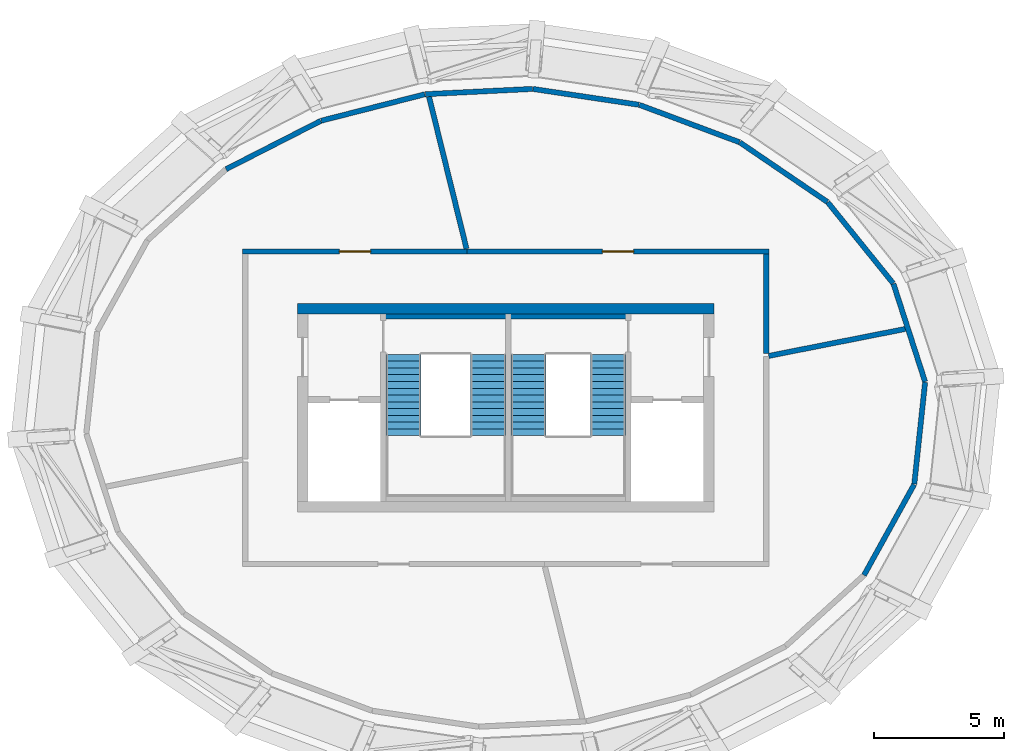
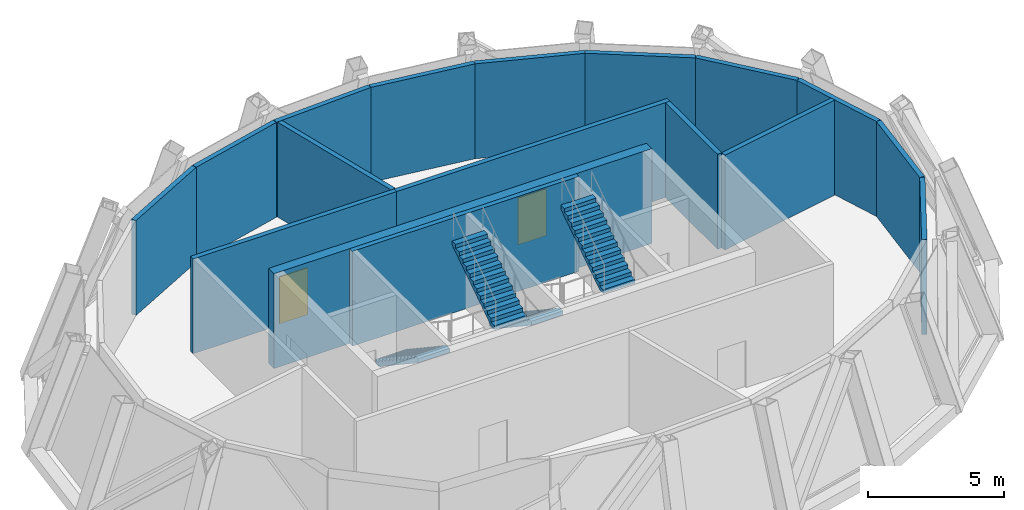
# One storey, part 5 of 6: 17 walls, 4 stair flights, 2 doors, 2 openings, 2 elements without a shape of their own.
"""IFC4 building model written with IfcOpenShell, lengths in metres."""

from ifc_helpers import new_model, si_unit, direction, frame, frame_2d, origin, place, context, subcontext, project, spatial, polyline, rectangle, outline, extrude, source, transform, mapped, material, layer, layer_set, type_object, element, fill, aggregate, save


model = new_model("IFC4")

# Units and contexts
model_context = context("Model", 3, precision=1e-05, world=origin(), true_north=direction((0.0, 1.0)))
body_context = subcontext(model_context, "Body", "Model", "MODEL_VIEW")
ifc_project = project(units=[si_unit("LENGTHUNIT", "METRE"), si_unit("AREAUNIT", "SQUARE_METRE"), si_unit("VOLUMEUNIT", "CUBIC_METRE"), si_unit("PLANEANGLEUNIT", "RADIAN"), si_unit("MASSUNIT", "GRAM", prefix="KILO")], contexts=[model_context])

# Site, building, storey
site_placement = place(None, origin())
site = spatial("IfcSite", under=ifc_project, at=site_placement, CompositionType="ELEMENT")
building_placement = place(site_placement, origin())
building = spatial("IfcBuilding", under=site, at=building_placement, Name="Embergate Tower", CompositionType="ELEMENT")
storey_placement = place(building_placement, frame((0.0, 0.0, 356.5)))
storey = spatial("IfcBuildingStorey", under=building, at=storey_placement, Name="L81", CompositionType="ELEMENT", Elevation=356.5)

# Walls
ifc_material_1 = material(Name="Concrete C50", Category="concrete")
ifc_layer_1 = layer(ifc_material_1, 0.39990234375)
ifc_layer_set_1 = layer_set([ifc_layer_1], Name="Concrete C50")
wall_type_1 = type_object("IfcWallType", Name="Core outer wall C50 400", PredefinedType="SHEAR", material=ifc_layer_set_1)
shared_shape_1 = source(origin(), body_context, "Body", "SweptSolid", [
    extrude(rectangle(XDim=16.0, YDim=0.39990234375, at=frame_2d((8.0, 0.0))), origin(), (0.0, 0.0, 1.0), 4.25),
])
wall_1_placement = place(storey_placement, frame((-8.0, 3.800048828125, 0.0), z_axis=(0.0, 0.0, 1.0), x_axis=(1.0, 0.0, 0.0)))
element("IfcWall", 1, at=wall_1_placement, inside=storey, type_object=wall_type_1, Name="CW-L81-N", PredefinedType="SHEAR", context=body_context, shape_type="MappedRepresentation", body=[
    mapped(shared_shape_1, transform((0.0, 0.0, 0.0))),
])
ifc_material_2 = material(Name="Terracotta louvre cladding on insulated backing", Category="masonry")
ifc_layer_2 = layer(ifc_material_2, 0.199951171875)
ifc_layer_set_2 = layer_set([ifc_layer_2], Name="Terracotta louvre cladding on insulated backing")
wall_type_2 = type_object("IfcWallType", Name="Terracotta louvre wall", PredefinedType="SOLIDWALL", material=ifc_layer_set_2)
shared_shape_2 = source(origin(), body_context, "Body", "SweptSolid", [
    extrude(rectangle(XDim=4.003662109375, YDim=0.199951171875, at=frame_2d((2.001953125, 0.0))), origin(), (0.0, 0.0, 1.0), 4.25),
])
wall_2_placement = place(storey_placement, frame((12.360595703125, 7.8916015625, 0.0), z_axis=(0.0, 0.0, 1.0), x_axis=(0.628317235809, -0.777957229663, 0.0)))
element("IfcWall", 2, at=wall_2_placement, inside=storey, type_object=wall_type_2, Name="Crown louvre wall 1", PredefinedType="SOLIDWALL", context=body_context, shape_type="MappedRepresentation", body=[
    mapped(shared_shape_2, transform((0.0, 0.0, 0.0))),
])
shared_shape_3 = source(origin(), body_context, "Body", "SweptSolid", [
    extrude(rectangle(XDim=4.059814453125, YDim=0.199951171875, at=frame_2d((2.02978515625, 0.0))), origin(), (0.0, 0.0, 1.0), 4.25),
])
wall_3_placement = place(storey_placement, frame((8.98876953125, 10.187744140625, 0.0), z_axis=(0.0, 0.0, 1.0), x_axis=(0.826945516506, -0.562282057984, 0.0)))
element("IfcWall", 3, at=wall_3_placement, inside=storey, type_object=wall_type_2, Name="Crown louvre wall 2", PredefinedType="SOLIDWALL", context=body_context, shape_type="MappedRepresentation", body=[
    mapped(shared_shape_3, transform((0.0, 0.0, 0.0))),
])
shared_shape_4 = source(origin(), body_context, "Body", "SweptSolid", [
    extrude(rectangle(XDim=4.095458984375, YDim=0.199951171875, at=frame_2d((2.0478515625, 0.0))), origin(), (0.0, 0.0, 1.0), 4.25),
])
wall_4_placement = place(storey_placement, frame((5.134033203125, 11.62890625, 0.0), z_axis=(0.0, 0.0, 1.0), x_axis=(0.936867035119, -0.349685799695, 0.0)))
element("IfcWall", 4, at=wall_4_placement, inside=storey, type_object=wall_type_2, Name="Crown louvre wall 3", PredefinedType="SOLIDWALL", context=body_context, shape_type="MappedRepresentation", body=[
    mapped(shared_shape_4, transform((0.0, 0.0, 0.0))),
])
shared_shape_5 = source(origin(), body_context, "Body", "SweptSolid", [
    extrude(rectangle(XDim=4.11474609375, YDim=0.199951171875, at=frame_2d((2.057373046875, 0.0))), origin(), (0.0, 0.0, 1.0), 4.25),
])
wall_5_placement = place(storey_placement, frame((1.045166015625, 12.240966796875, 0.0), z_axis=(0.0, 0.0, 1.0), x_axis=(0.989052252856, -0.147565717971, 0.0)))
element("IfcWall", 5, at=wall_5_placement, inside=storey, type_object=wall_type_2, Name="Crown louvre wall 4", PredefinedType="SOLIDWALL", context=body_context, shape_type="MappedRepresentation", body=[
    mapped(shared_shape_5, transform((0.0, 0.0, 0.0))),
])
shared_shape_6 = source(origin(), body_context, "Body", "SweptSolid", [
    extrude(rectangle(XDim=4.116455078125, YDim=0.199951171875, at=frame_2d((2.05810546875, 0.0))), origin(), (0.0, 0.0, 1.0), 4.25),
])
wall_6_placement = place(storey_placement, frame((-3.086181640625, 12.03955078125, 0.0), z_axis=(0.0, 0.0, 1.0), x_axis=(0.998790641863, 0.049165574616, 0.0)))
element("IfcWall", 6, at=wall_6_placement, inside=storey, type_object=wall_type_2, Name="Crown louvre wall 5", PredefinedType="SOLIDWALL", context=body_context, shape_type="MappedRepresentation", body=[
    mapped(shared_shape_6, transform((0.0, 0.0, 0.0))),
])
shared_shape_7 = source(origin(), body_context, "Body", "SweptSolid", [
    extrude(rectangle(XDim=4.107421875, YDim=0.199951171875, at=frame_2d((2.0537109375, 0.0))), origin(), (0.0, 0.0, 1.0), 4.25),
])
wall_7_placement = place(storey_placement, frame((-7.0859375, 11.02099609375, 0.0), z_axis=(0.0, 0.0, 1.0), x_axis=(0.96894922759, 0.247259770996, 0.0)))
element("IfcWall", 7, at=wall_7_placement, inside=storey, type_object=wall_type_2, Name="Crown louvre wall 6", PredefinedType="SOLIDWALL", context=body_context, shape_type="MappedRepresentation", body=[
    mapped(shared_shape_7, transform((0.0, 0.0, 0.0))),
])
shared_shape_8 = source(origin(), body_context, "Body", "SweptSolid", [
    extrude(rectangle(XDim=4.079833984375, YDim=0.199951171875, at=frame_2d((2.0400390625, 0.0))), origin(), (0.0, 0.0, 1.0), 4.25),
])
wall_8_placement = place(storey_placement, frame((-10.73828125, 9.1591796875, 0.0), z_axis=(0.0, 0.0, 1.0), x_axis=(0.89066198265, 0.454666067198, 0.0)))
element("IfcWall", 8, at=wall_8_placement, inside=storey, type_object=wall_type_2, Name="Crown louvre wall 7", PredefinedType="SOLIDWALL", context=body_context, shape_type="MappedRepresentation", body=[
    mapped(shared_shape_8, transform((0.0, 0.0, 0.0))),
])
shared_shape_9 = source(origin(), body_context, "Body", "SweptSolid", [
    extrude(rectangle(XDim=3.97412109375, YDim=0.199951171875, at=frame_2d((1.987060546875, 0.0))), origin(), (0.0, 0.0, 1.0), 4.25),
])
wall_9_placement = place(storey_placement, frame((15.67919921875, -2.947021484375, 0.0), z_axis=(0.0, 0.0, 1.0), x_axis=(-0.483910254113, -0.875117629787, 0.0)))
element("IfcWall", 9, at=wall_9_placement, inside=storey, type_object=wall_type_2, Name="Crown louvre wall 20", PredefinedType="SOLIDWALL", context=body_context, shape_type="MappedRepresentation", body=[
    mapped(shared_shape_9, transform((0.0, 0.0, 0.0))),
])
shared_shape_10 = source(origin(), body_context, "Body", "SweptSolid", [
    extrude(rectangle(XDim=3.932861328125, YDim=0.199951171875, at=frame_2d((1.96630859375, 0.0))), origin(), (0.0, 0.0, 1.0), 4.25),
])
wall_10_placement = place(storey_placement, frame((16.10107421875, 0.982666015625, 0.0), z_axis=(0.0, 0.0, 1.0), x_axis=(-0.10577691274, -0.994389885674, 0.0)))
element("IfcWall", 10, at=wall_10_placement, inside=storey, type_object=wall_type_2, Name="Crown louvre wall 21", PredefinedType="SOLIDWALL", context=body_context, shape_type="MappedRepresentation", body=[
    mapped(shared_shape_10, transform((0.0, 0.0, 0.0))),
])
shared_shape_11 = source(origin(), body_context, "Body", "SweptSolid", [
    extrude(rectangle(XDim=3.948486328125, YDim=0.199951171875, at=frame_2d((1.97412109375, 0.0))), origin(), (0.0, 0.0, 1.0), 4.25),
])
wall_11_placement = place(storey_placement, frame((14.885498046875, 4.759521484375, 0.0), z_axis=(0.0, 0.0, 1.0), x_axis=(0.307365880997, -0.951591411898, 0.0)))
element("IfcWall", 11, at=wall_11_placement, inside=storey, type_object=wall_type_2, Name="Crown louvre wall 22", PredefinedType="SOLIDWALL", context=body_context, shape_type="MappedRepresentation", body=[
    mapped(shared_shape_11, transform((0.0, 0.0, 0.0))),
])
ifc_layer_3 = layer(ifc_material_1, 0.199951171875)
ifc_layer_set_3 = layer_set([ifc_layer_3], Name="Concrete C50")
wall_type_3 = type_object("IfcWallType", Name="Stair enclosure wall reinforced concrete 250", PredefinedType="SHEAR", material=ifc_layer_set_3)
shared_shape_12 = source(origin(), body_context, "Body", "SweptSolid", [
    extrude(rectangle(XDim=9.59619140625, YDim=0.199951171875, at=frame_2d((4.798095703125, 0.0))), origin(), (0.0, 0.0, 1.0), 4.25),
])
wall_12_placement = place(storey_placement, frame((4.798095703125, 3.5, 0.0), z_axis=(0.0, 0.0, 1.0), x_axis=(-1.0, 0.0, 0.0)))
element("IfcWall", 12, at=wall_12_placement, inside=storey, type_object=wall_type_3, Name="SE-1 wall", PredefinedType="SHEAR", context=body_context, shape_type="MappedRepresentation", body=[
    mapped(shared_shape_12, transform((0.0, 0.0, 0.0))),
])
ifc_material_3 = material(Name="Blockwork, plastered", Category="masonry")
ifc_layer_4 = layer(ifc_material_3, 0.199951171875)
ifc_layer_set_4 = layer_set([ifc_layer_4], Name="Blockwork, plastered")
wall_type_4 = type_object("IfcWallType", Name="Fire partition wall 200 block", PredefinedType="PARTITIONING", material=ifc_layer_set_4)
shared_shape_13 = source(origin(), body_context, "Body", "SweptSolid", [
    extrude(rectangle(XDim=3.81689453125, YDim=0.199951171875, at=frame_2d((1.908447265625, 0.0))), origin(), (0.0, 0.0, 1.0), 4.25),
])
wall_13_placement = place(storey_placement, frame((10.0, 5.89990234375, 0.0), z_axis=(0.0, 0.0, 1.0), x_axis=(0.0, -1.0, 0.0)))
element("IfcWall", 13, at=wall_13_placement, inside=storey, type_object=wall_type_4, Name="Partition 011", PredefinedType="PARTITIONING", context=body_context, shape_type="MappedRepresentation", body=[
    mapped(shared_shape_13, transform((0.0, 0.0, 0.0))),
])
shared_shape_14 = source(origin(), body_context, "Body", "SweptSolid", [
    extrude(rectangle(XDim=5.343505859375, YDim=0.199951171875, at=frame_2d((2.671875, 0.0))), origin(), (0.0, 0.0, 1.0), 4.25),
])
wall_14_placement = place(storey_placement, frame((15.340087890625, 3.027099609375, 0.0), z_axis=(0.0, 0.0, 1.0), x_axis=(-0.981055750952, -0.193725614011, 0.0)))
element("IfcWall", 14, at=wall_14_placement, inside=storey, type_object=wall_type_4, Name="Partition 012", PredefinedType="PARTITIONING", context=body_context, shape_type="MappedRepresentation", body=[
    mapped(shared_shape_14, transform((0.0, 0.0, 0.0))),
])

# Wall, opening, door
shared_shape_15 = source(origin(), body_context, "Body", "SweptSolid", [
    extrude(rectangle(XDim=8.62109375, YDim=0.199951171875, at=frame_2d((4.310546875, 0.0))), origin(), (0.0, 0.0, 1.0), 4.25),
])
wall_15_placement = place(storey_placement, frame((-10.10009765625, 6.0, 0.0), z_axis=(0.0, 0.0, 1.0), x_axis=(1.0, 0.0, 0.0)))
wall_15 = element("IfcWall", 15, at=wall_15_placement, inside=storey, type_object=wall_type_4, Name="Partition 004", PredefinedType="PARTITIONING", context=body_context, shape_type="MappedRepresentation", body=[
    mapped(shared_shape_15, transform((0.0, 0.0, 0.0))),
])
shared_shape_16 = source(origin(), body_context, "Body", "SweptSolid", [
    extrude(rectangle(XDim=1.199951171875, YDim=2.10009765625, at=frame_2d((0.60009765625, 1.050048828125))), frame((0.0, 0.10986328125, 0.0), z_axis=(0.0, -1.0, 0.0), x_axis=(1.0, 0.0, 0.0)), (0.0, 0.0, 1.0), 0.219970703125),
])
opening_1_placement = place(wall_15_placement, frame((3.7109375, 0.0, 0.0)))
opening_1 = element("IfcOpeningElement", 16, at=opening_1_placement, cuts=wall_15, Name="Opening DS-282", PredefinedType="OPENING", context=body_context, shape_type="MappedRepresentation", body=[
    mapped(shared_shape_16, transform((0.0, 0.0, 0.0))),
])
ifc_material_4 = material(Name="Timber door leaf, steel frame", Category="steel")
door_type = type_object("IfcDoorType", Name="Plant door 1200x2100", OperationType="SINGLE_SWING_LEFT", PredefinedType="DOOR", material=ifc_material_4)
shared_shape_17 = source(origin(), body_context, "Body", "SweptSolid", [
    extrude(rectangle(XDim=1.199951171875, YDim=2.10009765625, at=frame_2d((0.60009765625, 1.050048828125))), frame((0.0, 0.02490234375, 0.0), z_axis=(0.0, -1.0, 0.0), x_axis=(1.0, 0.0, 0.0)), (0.0, 0.0, 1.0), 0.050048828125),
])
door_1_placement = place(opening_1_placement, origin())
door_1 = element("IfcDoor", 17, at=door_1_placement, inside=storey, type_object=door_type, Name="Door to Crown electrical plant room", OperationType="SINGLE_SWING_LEFT", OverallHeight=2.10009765625, OverallWidth=1.199951171875, PredefinedType="DOOR", context=body_context, shape_type="MappedRepresentation", body=[
    mapped(shared_shape_17, transform((0.0, 0.0, 0.0))),
])
fill(opening_1, door_1)

# Wall
shared_shape_18 = source(origin(), body_context, "Body", "SweptSolid", [
    extrude(rectangle(XDim=6.01416015625, YDim=0.199951171875, at=frame_2d((3.007080078125, 0.0))), origin(), (0.0, 0.0, 1.0), 4.25),
])
wall_16_placement = place(storey_placement, frame((-1.5048828125, 6.10693359375, 0.0), z_axis=(0.0, 0.0, 1.0), x_axis=(-0.239468317603, 0.970904179033, 0.0)))
element("IfcWall", 18, at=wall_16_placement, inside=storey, type_object=wall_type_4, Name="Partition 005", PredefinedType="PARTITIONING", context=body_context, shape_type="MappedRepresentation", body=[
    mapped(shared_shape_18, transform((0.0, 0.0, 0.0))),
])

# Wall, opening, door
shared_shape_19 = source(origin(), body_context, "Body", "SweptSolid", [
    extrude(rectangle(XDim=11.5791015625, YDim=0.199951171875, at=frame_2d((5.78955078125, 0.0))), origin(), (0.0, 0.0, 1.0), 4.25),
])
wall_17_placement = place(storey_placement, frame((-1.47900390625, 6.0, 0.0), z_axis=(0.0, 0.0, 1.0), x_axis=(1.0, 0.0, 0.0)))
wall_17 = element("IfcWall", 19, at=wall_17_placement, inside=storey, type_object=wall_type_4, Name="Partition 006", PredefinedType="PARTITIONING", context=body_context, shape_type="MappedRepresentation", body=[
    mapped(shared_shape_19, transform((0.0, 0.0, 0.0))),
])
opening_2_placement = place(wall_17_placement, frame((5.18896484375, 0.0, 0.0)))
opening_2 = element("IfcOpeningElement", 20, at=opening_2_placement, cuts=wall_17, Name="Opening DS-281", PredefinedType="OPENING", context=body_context, shape_type="MappedRepresentation", body=[
    mapped(shared_shape_16, transform((0.0, 0.0, 0.0))),
])
door_2_placement = place(opening_2_placement, origin())
door_2 = element("IfcDoor", 21, at=door_2_placement, inside=storey, type_object=door_type, Name="Door to Crown chiller plant", OperationType="SINGLE_SWING_LEFT", OverallHeight=2.10009765625, OverallWidth=1.199951171875, PredefinedType="DOOR", context=body_context, shape_type="MappedRepresentation", body=[
    mapped(shared_shape_17, transform((0.0, 0.0, 0.0))),
])
fill(opening_2, door_2)

# Stair, stair flights
ifc_material_5 = material(Name="Exit stair")
stair_type = type_object("IfcStairType", Name="Exit stair", PredefinedType="HALF_TURN_STAIR", material=ifc_material_5)
stair_1_placement = place(storey_placement, origin())
stair_1 = element("IfcStair", 22, at=stair_1_placement, inside=storey, type_object=stair_type, Name="L81 Exit stair 1", PredefinedType="HALF_TURN_STAIR")
ifc_material_6 = material(Name="Concrete C40", Category="concrete")
stair_flight_type = type_object("IfcStairFlightType", Name="Stair flight reinforced concrete", PredefinedType="STRAIGHT", material=ifc_material_6)
shared_shape_20 = source(origin(), body_context, "Body", "SweptSolid", [
    extrude(outline(polyline([(0.0, 0.0), (0.0, 0.173095703125), (0.260009765625, 0.173095703125), (0.260009765625, 0.34619140625), (0.52001953125, 0.34619140625), (0.52001953125, 0.519287109375), (0.780029296875, 0.519287109375), (0.780029296875, 0.6923828125), (1.0400390625, 0.6923828125), (1.0400390625, 0.865478515625), (1.300048828125, 0.865478515625), (1.300048828125, 1.03857421875), (1.56005859375, 1.03857421875), (1.56005859375, 1.21142578125), (1.820068359375, 1.21142578125), (1.820068359375, 1.384521484375), (2.080078125, 1.384521484375), (2.080078125, 1.5576171875), (2.340087890625, 1.5576171875), (2.340087890625, 1.730712890625), (2.60009765625, 1.730712890625), (2.60009765625, 1.90380859375), (2.860107421875, 1.90380859375), (2.860107421875, 2.076904296875), (3.1201171875, 2.076904296875), (3.1201171875, 2.25), (3.1201171875, 1.896728515625), (0.2705078125, 0.0), (0.0, 0.0)])), frame((0.0, 0.675048828125, 0.0), z_axis=(0.0, -1.0, 0.0), x_axis=(1.0, 0.0, 0.0)), (0.0, 0.0, 1.0), 1.35009765625),
])
stair_flight_1_placement = place(storey_placement, frame((0.875, 2.050048828125, 0.0), z_axis=(0.0, 0.0, 1.0), x_axis=(0.0, -1.0, 0.0)))
stair_flight_1 = element("IfcStairFlight", 23, at=stair_flight_1_placement, type_object=stair_flight_type, Name="ST1 flight 1", NumberOfRisers=13, NumberOfTreads=12, PredefinedType="STRAIGHT", RiserHeight=0.173076923, TreadLength=0.26, context=body_context, shape_type="MappedRepresentation", body=[
    mapped(shared_shape_20, transform((0.0, 0.0, 0.0))),
])
stair_flight_2_placement = place(storey_placement, frame((3.925048828125, -1.070068359375, 2.25), z_axis=(0.0, 0.0, 1.0), x_axis=(0.0, 1.0, 0.0)))
stair_flight_2 = element("IfcStairFlight", 24, at=stair_flight_2_placement, type_object=stair_flight_type, Name="ST1 flight 2", NumberOfRisers=13, NumberOfTreads=12, PredefinedType="STRAIGHT", RiserHeight=0.173076923, TreadLength=0.26, context=body_context, shape_type="MappedRepresentation", body=[
    mapped(shared_shape_20, transform((0.0, 0.0, 0.0))),
])
aggregate(stair_1, [stair_flight_1, stair_flight_2])

stair_2_placement = place(storey_placement, origin())
stair_2 = element("IfcStair", 25, at=stair_2_placement, inside=storey, type_object=stair_type, Name="L81 Exit stair 3", PredefinedType="HALF_TURN_STAIR")
stair_flight_3_placement = place(storey_placement, frame((-3.925048828125, 2.050048828125, 0.0), z_axis=(0.0, 0.0, 1.0), x_axis=(0.0, -1.0, 0.0)))
stair_flight_3 = element("IfcStairFlight", 26, at=stair_flight_3_placement, type_object=stair_flight_type, Name="ST3 flight 1", NumberOfRisers=13, NumberOfTreads=12, PredefinedType="STRAIGHT", RiserHeight=0.173076923, TreadLength=0.26, context=body_context, shape_type="MappedRepresentation", body=[
    mapped(shared_shape_20, transform((0.0, 0.0, 0.0))),
])
stair_flight_4_placement = place(storey_placement, frame((-0.675048828125, -1.070068359375, 2.25), z_axis=(0.0, 0.0, 1.0), x_axis=(0.0, 1.0, 0.0)))
stair_flight_4 = element("IfcStairFlight", 27, at=stair_flight_4_placement, type_object=stair_flight_type, Name="ST3 flight 2", NumberOfRisers=13, NumberOfTreads=12, PredefinedType="STRAIGHT", RiserHeight=0.173076923, TreadLength=0.26, context=body_context, shape_type="MappedRepresentation", body=[
    mapped(shared_shape_20, transform((0.0, 0.0, 0.0))),
])
aggregate(stair_2, [stair_flight_3, stair_flight_4])

save(model, "model.ifc")
